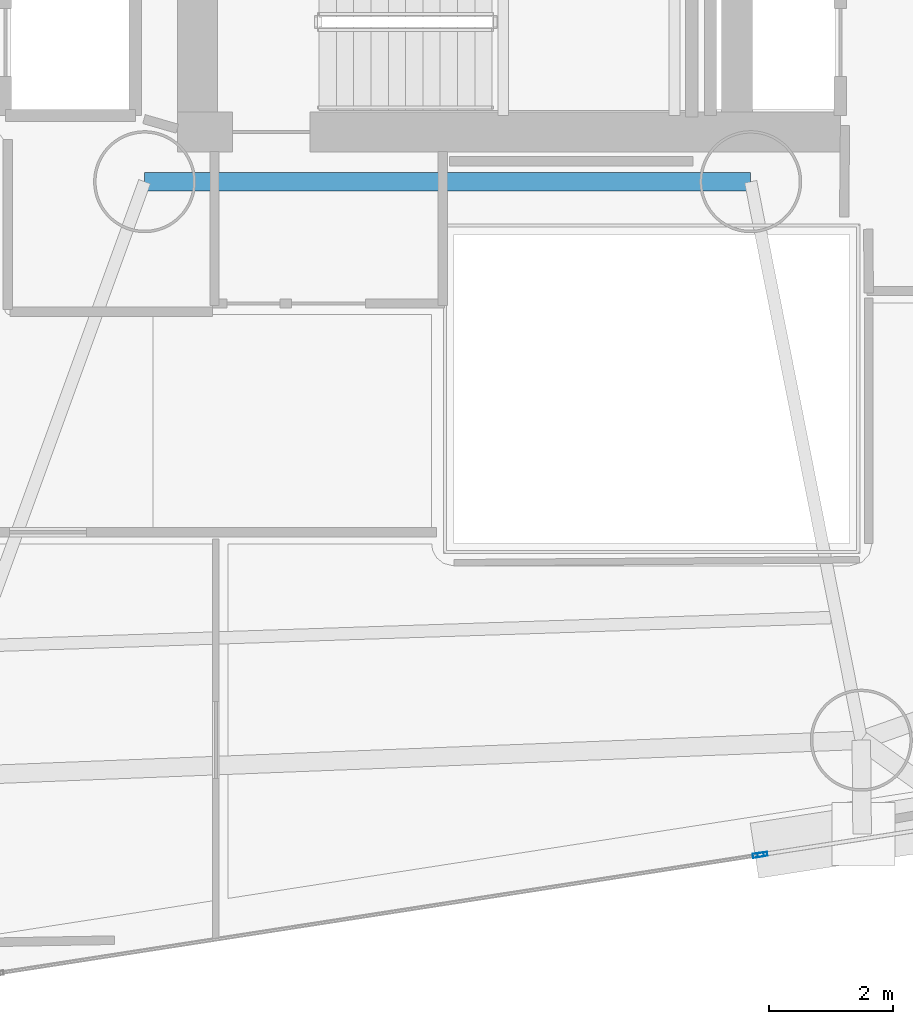
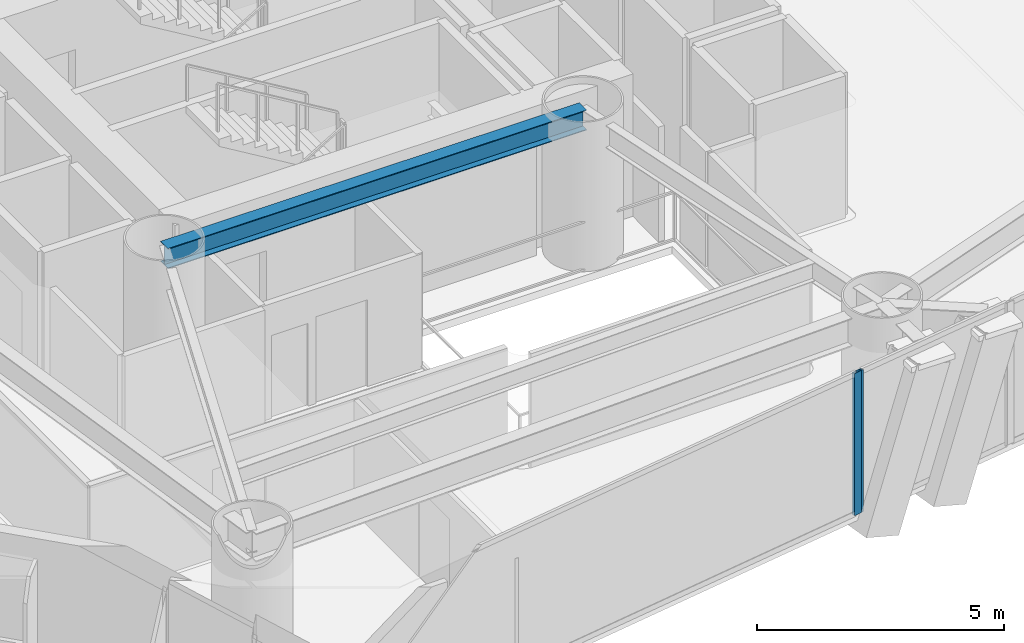
# One storey, part 5 of 23: 2 members, 1 beam, 2 elements without a shape of their own.
"""IFC4 building model written with IfcOpenShell, lengths in metres."""

from ifc_helpers import new_model, si_unit, direction, frame, origin, origin_2d, place, context, subcontext, project, spatial, hollow_rectangle, i_section, extrude, material, layer, layer_set, material_profile, profile_set, type_object, element, aggregate, save


model = new_model("IFC4")

# Units and contexts
model_context = context("Model", 3, precision=1e-05, world=origin(), true_north=direction((0.0, 1.0)))
body_context = subcontext(model_context, "Body", "Model", "MODEL_VIEW")
ifc_project = project(units=[si_unit("LENGTHUNIT", "METRE"), si_unit("AREAUNIT", "SQUARE_METRE"), si_unit("VOLUMEUNIT", "CUBIC_METRE"), si_unit("PLANEANGLEUNIT", "RADIAN"), si_unit("MASSUNIT", "GRAM", prefix="KILO")], contexts=[model_context])

# Site, building, storey
site_placement = place(None, origin())
site = spatial("IfcSite", under=ifc_project, at=site_placement, CompositionType="ELEMENT")
building_placement = place(site_placement, origin())
building = spatial("IfcBuilding", under=site, at=building_placement, Name="Qianvela Tower", CompositionType="ELEMENT")
storey_placement = place(building_placement, frame((0.0, 0.0, 78.39990234375)))
storey = spatial("IfcBuildingStorey", under=building, at=storey_placement, Name="L19", CompositionType="ELEMENT", Elevation=78.39990234375)

# Beam
ifc_material_1 = material(Name="Steel Q355B", Category="steel")
ifc_material_profile_1 = material_profile(ifc_material_1, i_section(OverallWidth=0.300048828125, OverallDepth=0.5, WebThickness=0.010986328125, FlangeThickness=0.01806640625, at=origin_2d()), Name="HM500x300x11x18")
ifc_profile_set_1 = profile_set([ifc_material_profile_1], Name="Steel Q355B")
beam_type = type_object("IfcBeamType", Name="BM-HM500-COLL", PredefinedType="BEAM", material=ifc_profile_set_1)
beam_placement = place(storey_placement, frame((28.60009765625, 23.85009765625, 3.26806640625), z_axis=(1.0, 0.0, 0.0), x_axis=(0.0, 1.0, 0.0)))
element("IfcBeam", 1, at=beam_placement, inside=storey, type_object=beam_type, Name="L19 Core Ring Collector Girder CC1", PredefinedType="BEAM", context=body_context, shape_type="SweptSolid", body=[
    extrude(i_section(OverallWidth=0.300048828125, OverallDepth=0.5, WebThickness=0.010986328125, FlangeThickness=0.01806640625, at=origin_2d()), origin(), (0.0, 0.0, 1.0), 9.7998046875),
])

# Curtain wall, member
ifc_material_2 = material(Name="Anodised Architectural Aluminium and Insulated Spandrel Panel", Category="aluminium")
ifc_layer_1 = layer(ifc_material_2, 0.179931640625)
ifc_layer_set_1 = layer_set([ifc_layer_1], Name="Anodised Architectural Aluminium and Insulated Spandrel Panel")
curtain_wall_type_1 = type_object("IfcCurtainWallType", Name="CW-BRACEBAY", PredefinedType="USERDEFINED", material=ifc_layer_set_1)
curtain_wall_1_placement = place(storey_placement, origin())
curtain_wall_1 = element("IfcCurtainWall", 2, at=curtain_wall_1_placement, inside=storey, type_object=curtain_wall_type_1, Name="L19 CW-BRACEBAY Curtain Wall 06B", ObjectType="CURTAIN_WALL_SYSTEM", PredefinedType="USERDEFINED")
ifc_material_3 = material(Name="Anodised Architectural Aluminium 6063-T6", Category="aluminium")
ifc_material_profile_2 = material_profile(ifc_material_3, hollow_rectangle(XDim=0.06494140625, YDim=0.159912109375, WallThickness=0.0048828125, at=origin_2d()), Name="ALU-MULL-65x160")
ifc_profile_set_2 = profile_set([ifc_material_profile_2], Name="Anodised Architectural Aluminium 6063-T6")
member_type_1 = type_object("IfcMemberType", Name="CW-BRACEBAY-MULL", PredefinedType="MULLION", material=ifc_profile_set_2)
member_1_placement = place(storey_placement, frame((38.590576171875, 12.97119140625, 0.0), z_axis=(0.0, 0.0, 1.0), x_axis=(-0.153552185748, 0.988140539727, 0.0)))
member_1 = element("IfcMember", 3, at=member_1_placement, type_object=member_type_1, Name="CW-9 mullion 1", PredefinedType="MULLION", context=body_context, shape_type="SweptSolid", body=[
    extrude(hollow_rectangle(XDim=0.06494140625, YDim=0.159912109375, WallThickness=0.0048828125, at=origin_2d()), origin(), (0.0, 0.0, 1.0), 3.52001953125),
])
aggregate(curtain_wall_1, [member_1])

ifc_material_4 = material(Name="Anodised Architectural Aluminium and Low-E Glass", Category="aluminium")
ifc_layer_2 = layer(ifc_material_4, 0.179931640625)
ifc_layer_set_2 = layer_set([ifc_layer_2], Name="Anodised Architectural Aluminium and Low-E Glass")
curtain_wall_type_2 = type_object("IfcCurtainWallType", Name="CW-COLIV-Z12", PredefinedType="USERDEFINED", material=ifc_layer_set_2)
curtain_wall_2_placement = place(storey_placement, origin())
curtain_wall_2 = element("IfcCurtainWall", 4, at=curtain_wall_2_placement, inside=storey, type_object=curtain_wall_type_2, Name="L19 CW-COLIV-Z12 Curtain Wall 06A", ObjectType="CURTAIN_WALL_SYSTEM", PredefinedType="USERDEFINED")
ifc_material_5 = material(Name="Anodised Architectural Aluminium 6063-T6", Category="aluminium")
ifc_material_profile_3 = material_profile(ifc_material_5, hollow_rectangle(XDim=0.070068359375, YDim=0.179931640625, WallThickness=0.0048828125, at=origin_2d()), Name="ALU-MULL-70x180")
ifc_profile_set_3 = profile_set([ifc_material_profile_3], Name="Anodised Architectural Aluminium 6063-T6")
member_type_2 = type_object("IfcMemberType", Name="CW-COLIV-Z12-MULL", PredefinedType="MULLION", material=ifc_profile_set_3)
member_2_placement = place(storey_placement, frame((38.52392578125, 12.9609375, 0.0), z_axis=(0.0, 0.0, 1.0), x_axis=(-0.153549694725, 0.988140926816, 0.0)))
member_2 = element("IfcMember", 5, at=member_2_placement, type_object=member_type_2, Name="CW-3 mullion 2", PredefinedType="MULLION", context=body_context, shape_type="SweptSolid", body=[
    extrude(hollow_rectangle(XDim=0.070068359375, YDim=0.179931640625, WallThickness=0.0048828125, at=origin_2d()), origin(), (0.0, 0.0, 1.0), 3.52001953125),
])
aggregate(curtain_wall_2, [member_2])

save(model, "model.ifc")
